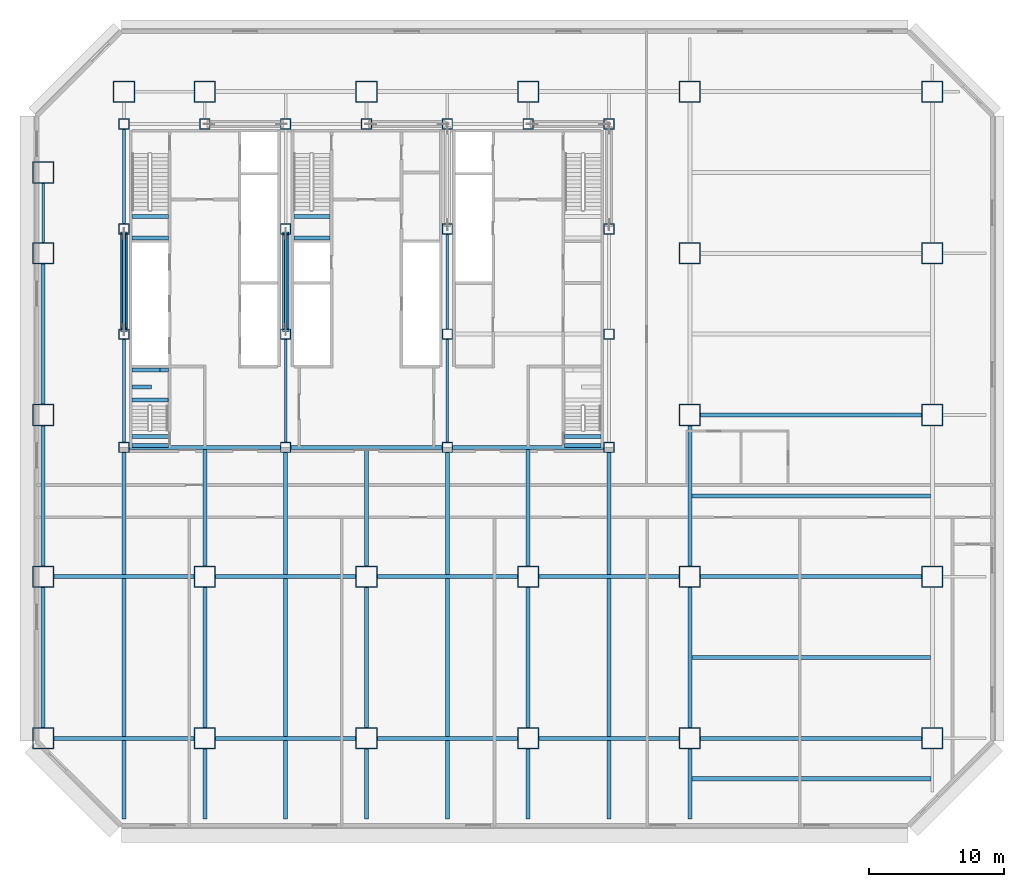
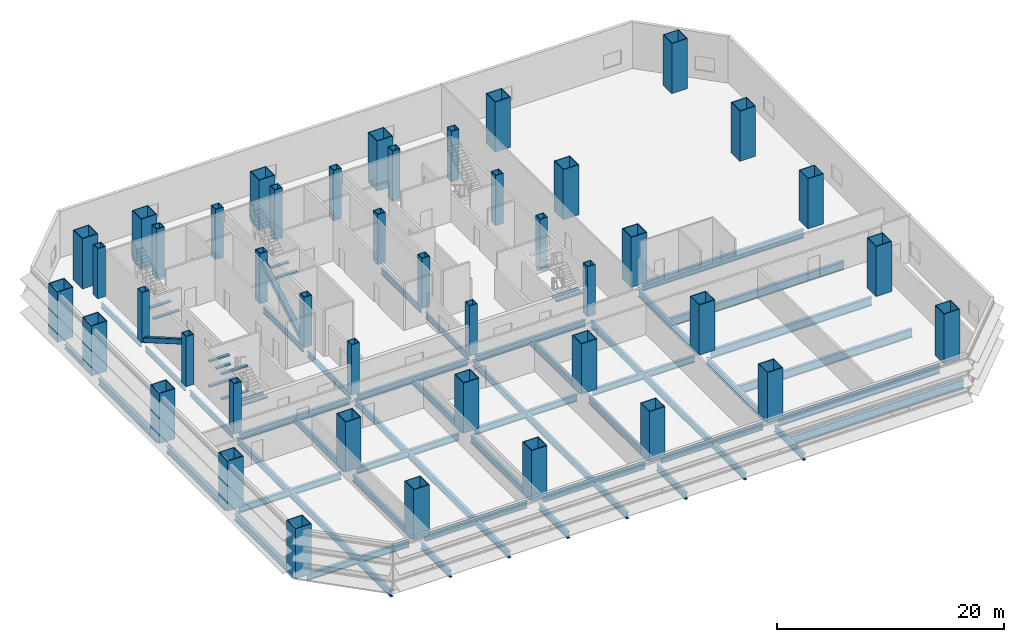
# One storey, part 1 of 10: 65 beams, 44 columns, 2 members.
"""IFC4 building model written with IfcOpenShell, lengths in metres."""

from ifc_helpers import new_model, si_unit, direction, frame, origin, origin_2d, place, context, subcontext, project, spatial, rectangle, hollow_rectangle, i_section, extrude, material, material_profile, profile_set, type_object, element, save


model = new_model("IFC4")

# Units and contexts
model_context = context("Model", 3, precision=1e-05, world=origin(), true_north=direction((0.0, 1.0)))
body_context = subcontext(model_context, "Body", "Model", "MODEL_VIEW")
ifc_project = project(units=[si_unit("LENGTHUNIT", "METRE"), si_unit("AREAUNIT", "SQUARE_METRE"), si_unit("VOLUMEUNIT", "CUBIC_METRE"), si_unit("PLANEANGLEUNIT", "RADIAN"), si_unit("MASSUNIT", "GRAM", prefix="KILO")], contexts=[model_context])

# Site, building, storey
site_placement = place(None, origin())
site = spatial("IfcSite", under=ifc_project, at=site_placement, CompositionType="ELEMENT")
building_placement = place(site_placement, origin())
building = spatial("IfcBuilding", under=site, at=building_placement, Name="Sorahane Residences", CompositionType="ELEMENT")
storey_placement = place(building_placement, frame((0.0, 0.0, 15.0)))
storey = spatial("IfcBuildingStorey", under=building, at=storey_placement, Name="L01", CompositionType="ELEMENT", Elevation=15.0)

# Columns
ifc_material_1 = material(Name="Steel Q420GJ", Category="steel")
ifc_material_profile_1 = material_profile(ifc_material_1, hollow_rectangle(XDim=1.60009765625, YDim=1.60009765625, WallThickness=0.070068359375, at=origin_2d()), Name="BOX 1600x1600x70")
ifc_profile_set_1 = profile_set([ifc_material_profile_1], Name="Steel Q420GJ")
column_type_1 = type_object("IfcColumnType", Name="Steel box column BOX 1600x1600x70 Q420GJ", PredefinedType="COLUMN", material=ifc_profile_set_1)
for number, where, z_axis, x_axis, name in (
    (1, (0.0, 0.0, 0.0), (0.0, 0.0, 1.0), (1.0, 0.0, 0.0), "Column L01 0/0"),
    (2, (0.0, 12.0, 0.0), (0.0, 0.0, 1.0), (1.0, 0.0, 0.0), "Column L01 0/12"),
    (3, (0.0, 24.0, 0.0), (0.0, 0.0, 1.0), (1.0, 0.0, 0.0), "Column L01 0/24"),
    (4, (0.0, 36.0, 0.0), (0.0, 0.0, 1.0), (1.0, 0.0, 0.0), "Column L01 0/36"),
    (5, (0.0, 42.0, 0.0), (0.0, 0.0, 1.0), (1.0, 0.0, 0.0), "Column L01 m0/42"),
    (6, (6.0, 48.0, 0.0), (0.0, 0.0, 1.0), (1.0, 0.0, 0.0), "Column L01 6/48"),
    (7, (12.0, 0.0, 0.0), (0.0, 0.0, 1.0), (1.0, 0.0, 0.0), "Column L01 12/0"),
    (8, (12.0, 12.0, 0.0), (0.0, 0.0, 1.0), (1.0, 0.0, 0.0), "Column L01 12/12"),
    (9, (12.0, 48.0, 0.0), (0.0, 0.0, 1.0), (1.0, 0.0, 0.0), "Column L01 12/48"),
    (10, (24.0, 0.0, 0.0), (0.0, 0.0, 1.0), (1.0, 0.0, 0.0), "Column L01 24/0"),
    (11, (24.0, 12.0, 0.0), (0.0, 0.0, 1.0), (1.0, 0.0, 0.0), "Column L01 24/12"),
    (12, (24.0, 48.0, 0.0), (0.0, 0.0, 1.0), (1.0, 0.0, 0.0), "Column L01 24/48"),
    (13, (36.0, 0.0, 0.0), (0.0, 0.0, 1.0), (1.0, 0.0, 0.0), "Column L01 36/0"),
    (14, (36.0, 12.0, 0.0), (0.0, 0.0, 1.0), (1.0, 0.0, 0.0), "Column L01 36/12"),
    (15, (36.0, 48.0, 0.0), (0.0, 0.0, 1.0), (1.0, 0.0, 0.0), "Column L01 36/48"),
    (16, (48.0, 0.0, 0.0), (0.0, 0.0, 1.0), (1.0, 0.0, 0.0), "Column L01 48/0"),
    (17, (48.0, 12.0, 0.0), (0.0, 0.0, 1.0), (1.0, 0.0, 0.0), "Column L01 48/12"),
    (18, (48.0, 24.0, 0.0), (0.0, 0.0, 1.0), (1.0, 0.0, 0.0), "Column L01 48/24"),
    (19, (48.0, 36.0, 0.0), (0.0, 0.0, 1.0), (1.0, 0.0, 0.0), "Column L01 48/36"),
    (20, (48.0, 48.0, 0.0), (0.0, 0.0, 1.0), (1.0, 0.0, 0.0), "Column L01 48/48"),
    (21, (66.0, 0.0, 0.0), (0.0, 0.0, 1.0), (1.0, 0.0, 0.0), "Column L01 66/0"),
    (22, (66.0, 12.0, 0.0), (0.0, 0.0, 1.0), (1.0, 0.0, 0.0), "Column L01 66/12"),
    (23, (66.0, 24.0, 0.0), (0.0, 0.0, 1.0), (1.0, 0.0, 0.0), "Column L01 66/24"),
    (24, (66.0, 36.0, 0.0), (0.0, 0.0, 1.0), (1.0, 0.0, 0.0), "Column L01 66/36"),
    (25, (66.0, 48.0, 0.0), (0.0, 0.0, 1.0), (1.0, 0.0, 0.0), "Column L01 66/48"),
):
    element("IfcColumn", number, at=place(storey_placement, frame(where, z_axis=z_axis, x_axis=x_axis)), inside=storey, type_object=column_type_1, Name=name, PredefinedType="COLUMN", context=body_context, shape_type="SweptSolid", body=[
        extrude(hollow_rectangle(XDim=1.60009765625, YDim=1.60009765625, WallThickness=0.070068359375, at=origin_2d()), origin(), (0.0, 0.0, 1.0), 5.39990234375),
    ])
ifc_material_2 = material(Name="Steel Q420GJ", Category="steel")
ifc_material_profile_2 = material_profile(ifc_material_2, hollow_rectangle(XDim=0.800048828125, YDim=0.800048828125, WallThickness=0.070068359375, at=origin_2d()), Name="BOX 800x800x70")
ifc_profile_set_2 = profile_set([ifc_material_profile_2], Name="Steel Q420GJ")
column_type_2 = type_object("IfcColumnType", Name="Steel box column BOX 800x800x70 Q420GJ", PredefinedType="COLUMN", material=ifc_profile_set_2)
for number, where, z_axis, x_axis, name in (
    (26, (6.0, 21.60009765625, 0.0), (0.0, 0.0, 1.0), (1.0, 0.0, 0.0), "Column L01 6/21.6"),
    (27, (6.0, 30.0, 0.0), (0.0, 0.0, 1.0), (1.0, 0.0, 0.0), "Column L01 6/30"),
    (28, (6.0, 37.800048828125, 0.0), (0.0, 0.0, 1.0), (1.0, 0.0, 0.0), "Column L01 6/37.8"),
    (29, (6.0, 45.60009765625, 0.0), (0.0, 0.0, 1.0), (1.0, 0.0, 0.0), "Column L01 6/45.6"),
    (30, (12.0, 45.60009765625, 0.0), (0.0, 0.0, 1.0), (1.0, 0.0, 0.0), "Column L01 12/45.6"),
    (31, (18.0, 21.60009765625, 0.0), (0.0, 0.0, 1.0), (1.0, 0.0, 0.0), "Column L01 18/21.6"),
    (32, (18.0, 30.0, 0.0), (0.0, 0.0, 1.0), (1.0, 0.0, 0.0), "Column L01 18/30"),
    (33, (18.0, 37.800048828125, 0.0), (0.0, 0.0, 1.0), (1.0, 0.0, 0.0), "Column L01 18/37.8"),
    (34, (18.0, 45.60009765625, 0.0), (0.0, 0.0, 1.0), (1.0, 0.0, 0.0), "Column L01 18/45.6"),
    (35, (24.0, 45.60009765625, 0.0), (0.0, 0.0, 1.0), (1.0, 0.0, 0.0), "Column L01 24/45.6"),
    (36, (30.0, 21.60009765625, 0.0), (0.0, 0.0, 1.0), (1.0, 0.0, 0.0), "Column L01 30/21.6"),
    (37, (30.0, 30.0, 0.0), (0.0, 0.0, 1.0), (1.0, 0.0, 0.0), "Column L01 30/30"),
    (38, (30.0, 37.800048828125, 0.0), (0.0, 0.0, 1.0), (1.0, 0.0, 0.0), "Column L01 30/37.8"),
    (39, (30.0, 45.60009765625, 0.0), (0.0, 0.0, 1.0), (1.0, 0.0, 0.0), "Column L01 30/45.6"),
    (40, (36.0, 45.60009765625, 0.0), (0.0, 0.0, 1.0), (1.0, 0.0, 0.0), "Column L01 36/45.6"),
    (41, (42.0, 21.60009765625, 0.0), (0.0, 0.0, 1.0), (1.0, 0.0, 0.0), "Column L01 42/21.6"),
    (42, (42.0, 30.0, 0.0), (0.0, 0.0, 1.0), (1.0, 0.0, 0.0), "Column L01 42/30"),
    (43, (42.0, 37.800048828125, 0.0), (0.0, 0.0, 1.0), (1.0, 0.0, 0.0), "Column L01 42/37.8"),
    (44, (42.0, 45.60009765625, 0.0), (0.0, 0.0, 1.0), (1.0, 0.0, 0.0), "Column L01 42/45.6"),
):
    element("IfcColumn", number, at=place(storey_placement, frame(where, z_axis=z_axis, x_axis=x_axis)), inside=storey, type_object=column_type_2, Name=name, PredefinedType="COLUMN", context=body_context, shape_type="SweptSolid", body=[
        extrude(hollow_rectangle(XDim=0.800048828125, YDim=0.800048828125, WallThickness=0.070068359375, at=origin_2d()), origin(), (0.0, 0.0, 1.0), 5.39990234375),
    ])

# Members
ifc_material_3 = material(Name="Steel Q355B", Category="steel")
ifc_material_profile_3 = material_profile(ifc_material_3, hollow_rectangle(XDim=0.5, YDim=0.5, WallThickness=0.02490234375, InnerFilletRadius=0.012451171875, OuterFilletRadius=0.03759765625, at=origin_2d()), Name="RHS 500x500x25")
ifc_profile_set_3 = profile_set([ifc_material_profile_3], Name="Steel Q355B")
member_type = type_object("IfcMemberType", Name="Core brace RHS 500x500x25 Q355B", PredefinedType="BRACE", material=ifc_profile_set_3)
for number, where, z_axis, x_axis, name in (
    (45, (6.0, 37.47509765625, 0.20654296875), (0.0, -0.865562498481, 0.500800919751), (1.0, 0.0, 0.0), "Core brace L01 x6-2"),
    (46, (18.0, 30.324951171875, 0.20654296875), (0.0, 0.865562498481, 0.500800919751), (-1.0, 0.0, 0.0), "Core brace L01 x18-1"),
):
    element("IfcMember", number, at=place(storey_placement, frame(where, z_axis=z_axis, x_axis=x_axis)), inside=storey, type_object=member_type, Name=name, PredefinedType="BRACE", context=body_context, shape_type="SweptSolid", body=[
        extrude(hollow_rectangle(XDim=0.5, YDim=0.5, WallThickness=0.02490234375, InnerFilletRadius=0.012451171875, OuterFilletRadius=0.03759765625, at=origin_2d()), origin(), (0.0, 0.0, 1.0), 8.2607421875),
    ])

# Beams
ifc_material_4 = material(Name="Concrete C40", Category="concrete")
ifc_material_profile_4 = material_profile(ifc_material_4, rectangle(XDim=0.300048828125, YDim=0.139892578125, at=origin_2d()), Name="300x140")
ifc_profile_set_4 = profile_set([ifc_material_profile_4], Name="Concrete C40")
beam_type_1 = type_object("IfcBeamType", Name="RC landing beam 300 x 140 Concrete C40", PredefinedType="BEAM", material=ifc_profile_set_4)
for number, where, z_axis, x_axis, name in (
    (47, (6.60009765625, 37.14990234375, 2.429931640625), (1.0, 0.0, 0.0), (0.0, 1.0, 0.0), "Landing beam"),
    (48, (6.60009765625, 38.75, 2.429931640625), (1.0, 0.0, 0.0), (0.0, 1.0, 0.0), "Landing beam"),
    (49, (18.60009765625, 37.14990234375, 2.429931640625), (1.0, 0.0, 0.0), (0.0, 1.0, 0.0), "Landing beam"),
    (50, (18.60009765625, 38.75, 2.429931640625), (1.0, 0.0, 0.0), (0.0, 1.0, 0.0), "Landing beam"),
    (51, (6.60009765625, 25.1201171875, 1.080078125), (1.0, 0.0, 0.0), (0.0, 1.0, 0.0), "Landing beam"),
    (52, (6.60009765625, 27.35009765625, 1.080078125), (1.0, 0.0, 0.0), (0.0, 1.0, 0.0), "Landing beam"),
    (53, (6.60009765625, 21.75, 2.429931640625), (1.0, 0.0, 0.0), (0.0, 1.0, 0.0), "Landing beam"),
    (54, (6.60009765625, 22.39990234375, 2.429931640625), (1.0, 0.0, 0.0), (0.0, 1.0, 0.0), "Landing beam"),
):
    element("IfcBeam", number, at=place(storey_placement, frame(where, z_axis=z_axis, x_axis=x_axis)), inside=storey, type_object=beam_type_1, Name=name, PredefinedType="BEAM", context=body_context, shape_type="SweptSolid", body=[
        extrude(rectangle(XDim=0.300048828125, YDim=0.139892578125, at=origin_2d()), origin(), (0.0, 0.0, 1.0), 2.699951171875),
    ])
beam_1_placement = place(storey_placement, frame((6.60009765625, 25.1201171875, 3.780029296875), z_axis=(1.0, 0.0, 0.0), x_axis=(0.0, 1.0, 0.0)))
element("IfcBeam", 55, at=beam_1_placement, inside=storey, type_object=beam_type_1, Name="Landing beam", PredefinedType="BEAM", context=body_context, shape_type="SweptSolid", body=[
    extrude(rectangle(XDim=0.300048828125, YDim=0.139892578125, at=origin_2d()), origin(), (0.0, 0.0, 1.0), 2.64990234375),
])
beam_2_placement = place(storey_placement, frame((6.60009765625, 27.35009765625, 3.780029296875), z_axis=(1.0, 0.0, 0.0), x_axis=(0.0, 1.0, 0.0)))
element("IfcBeam", 56, at=beam_2_placement, inside=storey, type_object=beam_type_1, Name="Landing beam", PredefinedType="BEAM", context=body_context, shape_type="SweptSolid", body=[
    extrude(rectangle(XDim=0.300048828125, YDim=0.139892578125, at=origin_2d()), origin(), (0.0, 0.0, 1.0), 2.06689453125),
])
beam_3_placement = place(storey_placement, frame((6.60009765625, 26.0849609375, 3.780029296875), z_axis=(1.0, 0.0, 0.0), x_axis=(0.0, 1.0, 0.0)))
element("IfcBeam", 57, at=beam_3_placement, inside=storey, type_object=beam_type_1, Name="Landing beam", PredefinedType="BEAM", context=body_context, shape_type="SweptSolid", body=[
    extrude(rectangle(XDim=0.300048828125, YDim=0.139892578125, at=origin_2d()), origin(), (0.0, 0.0, 1.0), 1.45751953125),
])
for number, where, z_axis, x_axis, name in (
    (58, (38.699951171875, 21.75, 2.429931640625), (1.0, 0.0, 0.0), (0.0, 1.0, 0.0), "Landing beam"),
    (59, (38.699951171875, 22.39990234375, 2.429931640625), (1.0, 0.0, 0.0), (0.0, 1.0, 0.0), "Landing beam"),
):
    element("IfcBeam", number, at=place(storey_placement, frame(where, z_axis=z_axis, x_axis=x_axis)), inside=storey, type_object=beam_type_1, Name=name, PredefinedType="BEAM", context=body_context, shape_type="SweptSolid", body=[
        extrude(rectangle(XDim=0.300048828125, YDim=0.139892578125, at=origin_2d()), origin(), (0.0, 0.0, 1.0), 2.699951171875),
    ])
ifc_material_5 = material(Name="Steel Q355B", Category="steel")
ifc_material_profile_5 = material_profile(ifc_material_5, i_section(OverallWidth=0.199951171875, OverallDepth=0.449951171875, WebThickness=0.009033203125, FlangeThickness=0.013916015625, FilletRadius=0.02001953125, at=origin_2d()), Name="HN 450x200x9x14")
ifc_profile_set_5 = profile_set([ifc_material_profile_5], Name="Steel Q355B")
beam_type_2 = type_object("IfcBeamType", Name="Steel floor beam HN 450x200x9x14 Q355B", PredefinedType="BEAM", material=ifc_profile_set_5)
beam_4_placement = place(storey_placement, frame((0.0, 36.800048828125, -0.675048828125), z_axis=(0.0, 1.0, 0.0), x_axis=(-1.0, 0.0, 0.0)))
element("IfcBeam", 60, at=beam_4_placement, inside=storey, type_object=beam_type_2, Name="Beam L01 035", PredefinedType="BEAM", context=body_context, shape_type="SweptSolid", body=[
    extrude(i_section(OverallWidth=0.199951171875, OverallDepth=0.449951171875, WebThickness=0.009033203125, FlangeThickness=0.013916015625, FilletRadius=0.02001953125, at=origin_2d()), origin(), (0.0, 0.0, 1.0), 4.39990234375),
])
ifc_material_6 = material(Name="Steel Q355B", Category="steel")
ifc_material_profile_6 = material_profile(ifc_material_6, i_section(OverallWidth=0.199951171875, OverallDepth=0.60009765625, WebThickness=0.010986328125, FlangeThickness=0.01708984375, FilletRadius=0.02392578125, at=origin_2d()), Name="HN 600x200x11x17")
ifc_profile_set_6 = profile_set([ifc_material_profile_6], Name="Steel Q355B")
beam_type_3 = type_object("IfcBeamType", Name="Steel floor beam HN 600x200x11x17 Q355B", PredefinedType="BEAM", material=ifc_profile_set_6)
beam_5_placement = place(storey_placement, frame((6.0, 22.0, -0.75), z_axis=(0.0, 1.0, 0.0), x_axis=(-1.0, 0.0, 0.0)))
element("IfcBeam", 61, at=beam_5_placement, inside=storey, type_object=beam_type_3, Name="Beam L01 062", PredefinedType="BEAM", context=body_context, shape_type="SweptSolid", body=[
    extrude(i_section(OverallWidth=0.199951171875, OverallDepth=0.60009765625, WebThickness=0.010986328125, FlangeThickness=0.01708984375, FilletRadius=0.02392578125, at=origin_2d()), origin(), (0.0, 0.0, 1.0), 7.60009765625),
])
for number, where, z_axis, x_axis, name in (
    (62, (6.0, 30.39990234375, -0.75), (0.0, 1.0, 0.0), (-1.0, 0.0, 0.0), "Beam L01 063"),
    (63, (6.0, 38.199951171875, -0.75), (0.0, 1.0, 0.0), (-1.0, 0.0, 0.0), "Beam L01 064"),
):
    element("IfcBeam", number, at=place(storey_placement, frame(where, z_axis=z_axis, x_axis=x_axis)), inside=storey, type_object=beam_type_3, Name=name, PredefinedType="BEAM", context=body_context, shape_type="SweptSolid", body=[
        extrude(i_section(OverallWidth=0.199951171875, OverallDepth=0.60009765625, WebThickness=0.010986328125, FlangeThickness=0.01708984375, FilletRadius=0.02392578125, at=origin_2d()), origin(), (0.0, 0.0, 1.0), 7.0),
    ])
beam_6_placement = place(storey_placement, frame((18.0, 22.0, -0.75), z_axis=(0.0, 1.0, 0.0), x_axis=(-1.0, 0.0, 0.0)))
element("IfcBeam", 64, at=beam_6_placement, inside=storey, type_object=beam_type_3, Name="Beam L01 069", PredefinedType="BEAM", context=body_context, shape_type="SweptSolid", body=[
    extrude(i_section(OverallWidth=0.199951171875, OverallDepth=0.60009765625, WebThickness=0.010986328125, FlangeThickness=0.01708984375, FilletRadius=0.02392578125, at=origin_2d()), origin(), (0.0, 0.0, 1.0), 7.60009765625),
])
beam_7_placement = place(storey_placement, frame((18.0, 30.39990234375, -0.75), z_axis=(0.0, 1.0, 0.0), x_axis=(-1.0, 0.0, 0.0)))
element("IfcBeam", 65, at=beam_7_placement, inside=storey, type_object=beam_type_3, Name="Beam L01 070", PredefinedType="BEAM", context=body_context, shape_type="SweptSolid", body=[
    extrude(i_section(OverallWidth=0.199951171875, OverallDepth=0.60009765625, WebThickness=0.010986328125, FlangeThickness=0.01708984375, FilletRadius=0.02392578125, at=origin_2d()), origin(), (0.0, 0.0, 1.0), 7.0),
])
beam_8_placement = place(storey_placement, frame((30.0, 22.0, -0.75), z_axis=(0.0, 1.0, 0.0), x_axis=(-1.0, 0.0, 0.0)))
element("IfcBeam", 66, at=beam_8_placement, inside=storey, type_object=beam_type_3, Name="Beam L01 076", PredefinedType="BEAM", context=body_context, shape_type="SweptSolid", body=[
    extrude(i_section(OverallWidth=0.199951171875, OverallDepth=0.60009765625, WebThickness=0.010986328125, FlangeThickness=0.01708984375, FilletRadius=0.02392578125, at=origin_2d()), origin(), (0.0, 0.0, 1.0), 7.60009765625),
])
beam_9_placement = place(storey_placement, frame((30.0, 30.39990234375, -0.75), z_axis=(0.0, 1.0, 0.0), x_axis=(-1.0, 0.0, 0.0)))
element("IfcBeam", 67, at=beam_9_placement, inside=storey, type_object=beam_type_3, Name="Beam L01 077", PredefinedType="BEAM", context=body_context, shape_type="SweptSolid", body=[
    extrude(i_section(OverallWidth=0.199951171875, OverallDepth=0.60009765625, WebThickness=0.010986328125, FlangeThickness=0.01708984375, FilletRadius=0.02392578125, at=origin_2d()), origin(), (0.0, 0.0, 1.0), 7.0),
])
ifc_material_7 = material(Name="Steel Q355B", Category="steel")
ifc_material_profile_7 = material_profile(ifc_material_7, i_section(OverallWidth=0.300048828125, OverallDepth=0.699951171875, WebThickness=0.012939453125, FlangeThickness=0.02392578125, FilletRadius=0.028076171875, at=origin_2d()), Name="HN 700x300x13x24")
ifc_profile_set_7 = profile_set([ifc_material_profile_7], Name="Steel Q355B")
beam_type_4 = type_object("IfcBeamType", Name="Steel floor beam HN 700x300x13x24 Q355B", PredefinedType="BEAM", material=ifc_profile_set_7)
for number, where, z_axis, x_axis, name in (
    (68, (0.800048828125, 0.0, -0.800048828125), (1.0, 0.0, 0.0), (0.0, 1.0, 0.0), "Beam L01 000"),
    (69, (12.800048828125, 0.0, -0.800048828125), (1.0, 0.0, 0.0), (0.0, 1.0, 0.0), "Beam L01 001"),
    (70, (24.800048828125, 0.0, -0.800048828125), (1.0, 0.0, 0.0), (0.0, 1.0, 0.0), "Beam L01 002"),
    (71, (36.800048828125, 0.0, -0.800048828125), (1.0, 0.0, 0.0), (0.0, 1.0, 0.0), "Beam L01 003"),
    (72, (0.800048828125, 12.0, -0.800048828125), (1.0, 0.0, 0.0), (0.0, 1.0, 0.0), "Beam L01 006"),
    (73, (12.800048828125, 12.0, -0.800048828125), (1.0, 0.0, 0.0), (0.0, 1.0, 0.0), "Beam L01 007"),
    (74, (24.800048828125, 12.0, -0.800048828125), (1.0, 0.0, 0.0), (0.0, 1.0, 0.0), "Beam L01 008"),
    (75, (36.800048828125, 12.0, -0.800048828125), (1.0, 0.0, 0.0), (0.0, 1.0, 0.0), "Beam L01 009"),
):
    element("IfcBeam", number, at=place(storey_placement, frame(where, z_axis=z_axis, x_axis=x_axis)), inside=storey, type_object=beam_type_4, Name=name, PredefinedType="BEAM", context=body_context, shape_type="SweptSolid", body=[
        extrude(i_section(OverallWidth=0.300048828125, OverallDepth=0.699951171875, WebThickness=0.012939453125, FlangeThickness=0.02392578125, FilletRadius=0.028076171875, at=origin_2d()), origin(), (0.0, 0.0, 1.0), 10.39990234375),
    ])
for number, where, z_axis, x_axis, name in (
    (76, (6.39990234375, 21.60009765625, -0.800048828125), (1.0, 0.0, 0.0), (0.0, 1.0, 0.0), "Beam L01 022"),
    (77, (18.39990234375, 21.60009765625, -0.800048828125), (1.0, 0.0, 0.0), (0.0, 1.0, 0.0), "Beam L01 023"),
    (78, (30.39990234375, 21.60009765625, -0.800048828125), (1.0, 0.0, 0.0), (0.0, 1.0, 0.0), "Beam L01 024"),
):
    element("IfcBeam", number, at=place(storey_placement, frame(where, z_axis=z_axis, x_axis=x_axis)), inside=storey, type_object=beam_type_4, Name=name, PredefinedType="BEAM", context=body_context, shape_type="SweptSolid", body=[
        extrude(i_section(OverallWidth=0.300048828125, OverallDepth=0.699951171875, WebThickness=0.012939453125, FlangeThickness=0.02392578125, FilletRadius=0.028076171875, at=origin_2d()), origin(), (0.0, 0.0, 1.0), 11.2001953125),
    ])
for number, where, z_axis, x_axis, name in (
    (79, (0.0, 0.800048828125, -0.800048828125), (0.0, 1.0, 0.0), (-1.0, 0.0, 0.0), "Beam L01 032"),
    (80, (0.0, 12.800048828125, -0.800048828125), (0.0, 1.0, 0.0), (-1.0, 0.0, 0.0), "Beam L01 033"),
    (81, (0.0, 24.800048828125, -0.800048828125), (0.0, 1.0, 0.0), (-1.0, 0.0, 0.0), "Beam L01 034"),
    (82, (12.0, 0.800048828125, -0.800048828125), (0.0, 1.0, 0.0), (-1.0, 0.0, 0.0), "Beam L01 036"),
):
    element("IfcBeam", number, at=place(storey_placement, frame(where, z_axis=z_axis, x_axis=x_axis)), inside=storey, type_object=beam_type_4, Name=name, PredefinedType="BEAM", context=body_context, shape_type="SweptSolid", body=[
        extrude(i_section(OverallWidth=0.300048828125, OverallDepth=0.699951171875, WebThickness=0.012939453125, FlangeThickness=0.02392578125, FilletRadius=0.028076171875, at=origin_2d()), origin(), (0.0, 0.0, 1.0), 10.39990234375),
    ])
beam_10_placement = place(storey_placement, frame((12.0, 12.800048828125, -0.800048828125), z_axis=(0.0, 1.0, 0.0), x_axis=(-1.0, 0.0, 0.0)))
element("IfcBeam", 83, at=beam_10_placement, inside=storey, type_object=beam_type_4, Name="Beam L01 037", PredefinedType="BEAM", context=body_context, shape_type="SweptSolid", body=[
    extrude(i_section(OverallWidth=0.300048828125, OverallDepth=0.699951171875, WebThickness=0.012939453125, FlangeThickness=0.02392578125, FilletRadius=0.028076171875, at=origin_2d()), origin(), (0.0, 0.0, 1.0), 8.64990234375),
])
beam_11_placement = place(storey_placement, frame((12.0, -6.0, -0.800048828125), z_axis=(0.0, 1.0, 0.0), x_axis=(-1.0, 0.0, 0.0)))
element("IfcBeam", 84, at=beam_11_placement, inside=storey, type_object=beam_type_4, Name="Beam L01 039", PredefinedType="BEAM", context=body_context, shape_type="SweptSolid", body=[
    extrude(i_section(OverallWidth=0.300048828125, OverallDepth=0.699951171875, WebThickness=0.012939453125, FlangeThickness=0.02392578125, FilletRadius=0.028076171875, at=origin_2d()), origin(), (0.0, 0.0, 1.0), 5.199951171875),
])
beam_12_placement = place(storey_placement, frame((24.0, 0.800048828125, -0.800048828125), z_axis=(0.0, 1.0, 0.0), x_axis=(-1.0, 0.0, 0.0)))
element("IfcBeam", 85, at=beam_12_placement, inside=storey, type_object=beam_type_4, Name="Beam L01 040", PredefinedType="BEAM", context=body_context, shape_type="SweptSolid", body=[
    extrude(i_section(OverallWidth=0.300048828125, OverallDepth=0.699951171875, WebThickness=0.012939453125, FlangeThickness=0.02392578125, FilletRadius=0.028076171875, at=origin_2d()), origin(), (0.0, 0.0, 1.0), 10.39990234375),
])
beam_13_placement = place(storey_placement, frame((24.0, 12.800048828125, -0.800048828125), z_axis=(0.0, 1.0, 0.0), x_axis=(-1.0, 0.0, 0.0)))
element("IfcBeam", 86, at=beam_13_placement, inside=storey, type_object=beam_type_4, Name="Beam L01 041", PredefinedType="BEAM", context=body_context, shape_type="SweptSolid", body=[
    extrude(i_section(OverallWidth=0.300048828125, OverallDepth=0.699951171875, WebThickness=0.012939453125, FlangeThickness=0.02392578125, FilletRadius=0.028076171875, at=origin_2d()), origin(), (0.0, 0.0, 1.0), 8.64990234375),
])
beam_14_placement = place(storey_placement, frame((24.0, -6.0, -0.800048828125), z_axis=(0.0, 1.0, 0.0), x_axis=(-1.0, 0.0, 0.0)))
element("IfcBeam", 87, at=beam_14_placement, inside=storey, type_object=beam_type_4, Name="Beam L01 043", PredefinedType="BEAM", context=body_context, shape_type="SweptSolid", body=[
    extrude(i_section(OverallWidth=0.300048828125, OverallDepth=0.699951171875, WebThickness=0.012939453125, FlangeThickness=0.02392578125, FilletRadius=0.028076171875, at=origin_2d()), origin(), (0.0, 0.0, 1.0), 5.199951171875),
])
beam_15_placement = place(storey_placement, frame((36.0, 0.800048828125, -0.800048828125), z_axis=(0.0, 1.0, 0.0), x_axis=(-1.0, 0.0, 0.0)))
element("IfcBeam", 88, at=beam_15_placement, inside=storey, type_object=beam_type_4, Name="Beam L01 044", PredefinedType="BEAM", context=body_context, shape_type="SweptSolid", body=[
    extrude(i_section(OverallWidth=0.300048828125, OverallDepth=0.699951171875, WebThickness=0.012939453125, FlangeThickness=0.02392578125, FilletRadius=0.028076171875, at=origin_2d()), origin(), (0.0, 0.0, 1.0), 10.39990234375),
])
beam_16_placement = place(storey_placement, frame((36.0, 12.800048828125, -0.800048828125), z_axis=(0.0, 1.0, 0.0), x_axis=(-1.0, 0.0, 0.0)))
element("IfcBeam", 89, at=beam_16_placement, inside=storey, type_object=beam_type_4, Name="Beam L01 045", PredefinedType="BEAM", context=body_context, shape_type="SweptSolid", body=[
    extrude(i_section(OverallWidth=0.300048828125, OverallDepth=0.699951171875, WebThickness=0.012939453125, FlangeThickness=0.02392578125, FilletRadius=0.028076171875, at=origin_2d()), origin(), (0.0, 0.0, 1.0), 8.64990234375),
])
beam_17_placement = place(storey_placement, frame((36.0, -6.0, -0.800048828125), z_axis=(0.0, 1.0, 0.0), x_axis=(-1.0, 0.0, 0.0)))
element("IfcBeam", 90, at=beam_17_placement, inside=storey, type_object=beam_type_4, Name="Beam L01 047", PredefinedType="BEAM", context=body_context, shape_type="SweptSolid", body=[
    extrude(i_section(OverallWidth=0.300048828125, OverallDepth=0.699951171875, WebThickness=0.012939453125, FlangeThickness=0.02392578125, FilletRadius=0.028076171875, at=origin_2d()), origin(), (0.0, 0.0, 1.0), 5.199951171875),
])
for number, where, z_axis, x_axis, name in (
    (91, (48.0, 0.800048828125, -0.800048828125), (0.0, 1.0, 0.0), (-1.0, 0.0, 0.0), "Beam L01 048"),
    (92, (48.0, 12.800048828125, -0.800048828125), (0.0, 1.0, 0.0), (-1.0, 0.0, 0.0), "Beam L01 049"),
):
    element("IfcBeam", number, at=place(storey_placement, frame(where, z_axis=z_axis, x_axis=x_axis)), inside=storey, type_object=beam_type_4, Name=name, PredefinedType="BEAM", context=body_context, shape_type="SweptSolid", body=[
        extrude(i_section(OverallWidth=0.300048828125, OverallDepth=0.699951171875, WebThickness=0.012939453125, FlangeThickness=0.02392578125, FilletRadius=0.028076171875, at=origin_2d()), origin(), (0.0, 0.0, 1.0), 10.39990234375),
    ])
beam_18_placement = place(storey_placement, frame((48.0, -6.0, -0.800048828125), z_axis=(0.0, 1.0, 0.0), x_axis=(-1.0, 0.0, 0.0)))
element("IfcBeam", 93, at=beam_18_placement, inside=storey, type_object=beam_type_4, Name="Beam L01 052", PredefinedType="BEAM", context=body_context, shape_type="SweptSolid", body=[
    extrude(i_section(OverallWidth=0.300048828125, OverallDepth=0.699951171875, WebThickness=0.012939453125, FlangeThickness=0.02392578125, FilletRadius=0.028076171875, at=origin_2d()), origin(), (0.0, 0.0, 1.0), 5.199951171875),
])
beam_19_placement = place(storey_placement, frame((6.0, 0.14990234375, -0.800048828125), z_axis=(0.0, 1.0, 0.0), x_axis=(-1.0, 0.0, 0.0)))
element("IfcBeam", 94, at=beam_19_placement, inside=storey, type_object=beam_type_4, Name="Beam L01 060", PredefinedType="BEAM", context=body_context, shape_type="SweptSolid", body=[
    extrude(i_section(OverallWidth=0.300048828125, OverallDepth=0.699951171875, WebThickness=0.012939453125, FlangeThickness=0.02392578125, FilletRadius=0.028076171875, at=origin_2d()), origin(), (0.0, 0.0, 1.0), 11.7001953125),
])
beam_20_placement = place(storey_placement, frame((6.0, 12.14990234375, -0.800048828125), z_axis=(0.0, 1.0, 0.0), x_axis=(-1.0, 0.0, 0.0)))
element("IfcBeam", 95, at=beam_20_placement, inside=storey, type_object=beam_type_4, Name="Beam L01 061", PredefinedType="BEAM", context=body_context, shape_type="SweptSolid", body=[
    extrude(i_section(OverallWidth=0.300048828125, OverallDepth=0.699951171875, WebThickness=0.012939453125, FlangeThickness=0.02392578125, FilletRadius=0.028076171875, at=origin_2d()), origin(), (0.0, 0.0, 1.0), 9.050048828125),
])
beam_21_placement = place(storey_placement, frame((6.0, -6.0, -0.800048828125), z_axis=(0.0, 1.0, 0.0), x_axis=(-1.0, 0.0, 0.0)))
element("IfcBeam", 96, at=beam_21_placement, inside=storey, type_object=beam_type_4, Name="Beam L01 066", PredefinedType="BEAM", context=body_context, shape_type="SweptSolid", body=[
    extrude(i_section(OverallWidth=0.300048828125, OverallDepth=0.699951171875, WebThickness=0.012939453125, FlangeThickness=0.02392578125, FilletRadius=0.028076171875, at=origin_2d()), origin(), (0.0, 0.0, 1.0), 5.85009765625),
])
beam_22_placement = place(storey_placement, frame((18.0, 0.14990234375, -0.800048828125), z_axis=(0.0, 1.0, 0.0), x_axis=(-1.0, 0.0, 0.0)))
element("IfcBeam", 97, at=beam_22_placement, inside=storey, type_object=beam_type_4, Name="Beam L01 067", PredefinedType="BEAM", context=body_context, shape_type="SweptSolid", body=[
    extrude(i_section(OverallWidth=0.300048828125, OverallDepth=0.699951171875, WebThickness=0.012939453125, FlangeThickness=0.02392578125, FilletRadius=0.028076171875, at=origin_2d()), origin(), (0.0, 0.0, 1.0), 11.7001953125),
])
beam_23_placement = place(storey_placement, frame((18.0, 12.14990234375, -0.800048828125), z_axis=(0.0, 1.0, 0.0), x_axis=(-1.0, 0.0, 0.0)))
element("IfcBeam", 98, at=beam_23_placement, inside=storey, type_object=beam_type_4, Name="Beam L01 068", PredefinedType="BEAM", context=body_context, shape_type="SweptSolid", body=[
    extrude(i_section(OverallWidth=0.300048828125, OverallDepth=0.699951171875, WebThickness=0.012939453125, FlangeThickness=0.02392578125, FilletRadius=0.028076171875, at=origin_2d()), origin(), (0.0, 0.0, 1.0), 9.050048828125),
])
beam_24_placement = place(storey_placement, frame((18.0, -6.0, -0.800048828125), z_axis=(0.0, 1.0, 0.0), x_axis=(-1.0, 0.0, 0.0)))
element("IfcBeam", 99, at=beam_24_placement, inside=storey, type_object=beam_type_4, Name="Beam L01 073", PredefinedType="BEAM", context=body_context, shape_type="SweptSolid", body=[
    extrude(i_section(OverallWidth=0.300048828125, OverallDepth=0.699951171875, WebThickness=0.012939453125, FlangeThickness=0.02392578125, FilletRadius=0.028076171875, at=origin_2d()), origin(), (0.0, 0.0, 1.0), 5.85009765625),
])
beam_25_placement = place(storey_placement, frame((30.0, 0.14990234375, -0.800048828125), z_axis=(0.0, 1.0, 0.0), x_axis=(-1.0, 0.0, 0.0)))
element("IfcBeam", 100, at=beam_25_placement, inside=storey, type_object=beam_type_4, Name="Beam L01 074", PredefinedType="BEAM", context=body_context, shape_type="SweptSolid", body=[
    extrude(i_section(OverallWidth=0.300048828125, OverallDepth=0.699951171875, WebThickness=0.012939453125, FlangeThickness=0.02392578125, FilletRadius=0.028076171875, at=origin_2d()), origin(), (0.0, 0.0, 1.0), 11.7001953125),
])
beam_26_placement = place(storey_placement, frame((30.0, 12.14990234375, -0.800048828125), z_axis=(0.0, 1.0, 0.0), x_axis=(-1.0, 0.0, 0.0)))
element("IfcBeam", 101, at=beam_26_placement, inside=storey, type_object=beam_type_4, Name="Beam L01 075", PredefinedType="BEAM", context=body_context, shape_type="SweptSolid", body=[
    extrude(i_section(OverallWidth=0.300048828125, OverallDepth=0.699951171875, WebThickness=0.012939453125, FlangeThickness=0.02392578125, FilletRadius=0.028076171875, at=origin_2d()), origin(), (0.0, 0.0, 1.0), 9.050048828125),
])
beam_27_placement = place(storey_placement, frame((30.0, -6.0, -0.800048828125), z_axis=(0.0, 1.0, 0.0), x_axis=(-1.0, 0.0, 0.0)))
element("IfcBeam", 102, at=beam_27_placement, inside=storey, type_object=beam_type_4, Name="Beam L01 080", PredefinedType="BEAM", context=body_context, shape_type="SweptSolid", body=[
    extrude(i_section(OverallWidth=0.300048828125, OverallDepth=0.699951171875, WebThickness=0.012939453125, FlangeThickness=0.02392578125, FilletRadius=0.028076171875, at=origin_2d()), origin(), (0.0, 0.0, 1.0), 5.85009765625),
])
beam_28_placement = place(storey_placement, frame((42.0, 0.14990234375, -0.800048828125), z_axis=(0.0, 1.0, 0.0), x_axis=(-1.0, 0.0, 0.0)))
element("IfcBeam", 103, at=beam_28_placement, inside=storey, type_object=beam_type_4, Name="Beam L01 081", PredefinedType="BEAM", context=body_context, shape_type="SweptSolid", body=[
    extrude(i_section(OverallWidth=0.300048828125, OverallDepth=0.699951171875, WebThickness=0.012939453125, FlangeThickness=0.02392578125, FilletRadius=0.028076171875, at=origin_2d()), origin(), (0.0, 0.0, 1.0), 11.7001953125),
])
beam_29_placement = place(storey_placement, frame((42.0, 12.14990234375, -0.800048828125), z_axis=(0.0, 1.0, 0.0), x_axis=(-1.0, 0.0, 0.0)))
element("IfcBeam", 104, at=beam_29_placement, inside=storey, type_object=beam_type_4, Name="Beam L01 082", PredefinedType="BEAM", context=body_context, shape_type="SweptSolid", body=[
    extrude(i_section(OverallWidth=0.300048828125, OverallDepth=0.699951171875, WebThickness=0.012939453125, FlangeThickness=0.02392578125, FilletRadius=0.028076171875, at=origin_2d()), origin(), (0.0, 0.0, 1.0), 9.050048828125),
])
beam_30_placement = place(storey_placement, frame((42.0, -6.0, -0.800048828125), z_axis=(0.0, 1.0, 0.0), x_axis=(-1.0, 0.0, 0.0)))
element("IfcBeam", 105, at=beam_30_placement, inside=storey, type_object=beam_type_4, Name="Beam L01 087", PredefinedType="BEAM", context=body_context, shape_type="SweptSolid", body=[
    extrude(i_section(OverallWidth=0.300048828125, OverallDepth=0.699951171875, WebThickness=0.012939453125, FlangeThickness=0.02392578125, FilletRadius=0.028076171875, at=origin_2d()), origin(), (0.0, 0.0, 1.0), 5.85009765625),
])
ifc_material_8 = material(Name="Steel Q355B", Category="steel")
ifc_material_profile_8 = material_profile(ifc_material_8, i_section(OverallWidth=0.300048828125, OverallDepth=0.89990234375, WebThickness=0.01611328125, FlangeThickness=0.028076171875, FilletRadius=0.028076171875, at=origin_2d()), Name="HN 900x300x16x28")
ifc_profile_set_8 = profile_set([ifc_material_profile_8], Name="Steel Q355B")
beam_type_5 = type_object("IfcBeamType", Name="Steel floor beam HN 900x300x16x28 Q355B", PredefinedType="BEAM", material=ifc_profile_set_8)
for number, where, z_axis, x_axis, name in (
    (106, (48.800048828125, 0.0, -0.89990234375), (1.0, 0.0, 0.0), (0.0, 1.0, 0.0), "Beam L01 004"),
    (107, (48.800048828125, 12.0, -0.89990234375), (1.0, 0.0, 0.0), (0.0, 1.0, 0.0), "Beam L01 010"),
    (108, (48.800048828125, 24.0, -0.89990234375), (1.0, 0.0, 0.0), (0.0, 1.0, 0.0), "Beam L01 012"),
):
    element("IfcBeam", number, at=place(storey_placement, frame(where, z_axis=z_axis, x_axis=x_axis)), inside=storey, type_object=beam_type_5, Name=name, PredefinedType="BEAM", context=body_context, shape_type="SweptSolid", body=[
        extrude(i_section(OverallWidth=0.300048828125, OverallDepth=0.89990234375, WebThickness=0.01611328125, FlangeThickness=0.028076171875, FilletRadius=0.028076171875, at=origin_2d()), origin(), (0.0, 0.0, 1.0), 16.39990234375),
    ])
beam_31_placement = place(storey_placement, frame((48.150146484375, -3.0, -0.89990234375), z_axis=(1.0, 0.0, 0.0), x_axis=(0.0, 1.0, 0.0)))
element("IfcBeam", 109, at=beam_31_placement, inside=storey, type_object=beam_type_5, Name="Beam L01 088", PredefinedType="BEAM", context=body_context, shape_type="SweptSolid", body=[
    extrude(i_section(OverallWidth=0.300048828125, OverallDepth=0.89990234375, WebThickness=0.01611328125, FlangeThickness=0.028076171875, FilletRadius=0.028076171875, at=origin_2d()), origin(), (0.0, 0.0, 1.0), 17.749755859375),
])
for number, where, z_axis, x_axis, name in (
    (110, (48.150146484375, 6.0, -0.89990234375), (1.0, 0.0, 0.0), (0.0, 1.0, 0.0), "Beam L01 089"),
    (111, (48.150146484375, 18.0, -0.89990234375), (1.0, 0.0, 0.0), (0.0, 1.0, 0.0), "Beam L01 090"),
):
    element("IfcBeam", number, at=place(storey_placement, frame(where, z_axis=z_axis, x_axis=x_axis)), inside=storey, type_object=beam_type_5, Name=name, PredefinedType="BEAM", context=body_context, shape_type="SweptSolid", body=[
        extrude(i_section(OverallWidth=0.300048828125, OverallDepth=0.89990234375, WebThickness=0.01611328125, FlangeThickness=0.028076171875, FilletRadius=0.028076171875, at=origin_2d()), origin(), (0.0, 0.0, 1.0), 17.69970703125),
    ])

save(model, "model.ifc")
